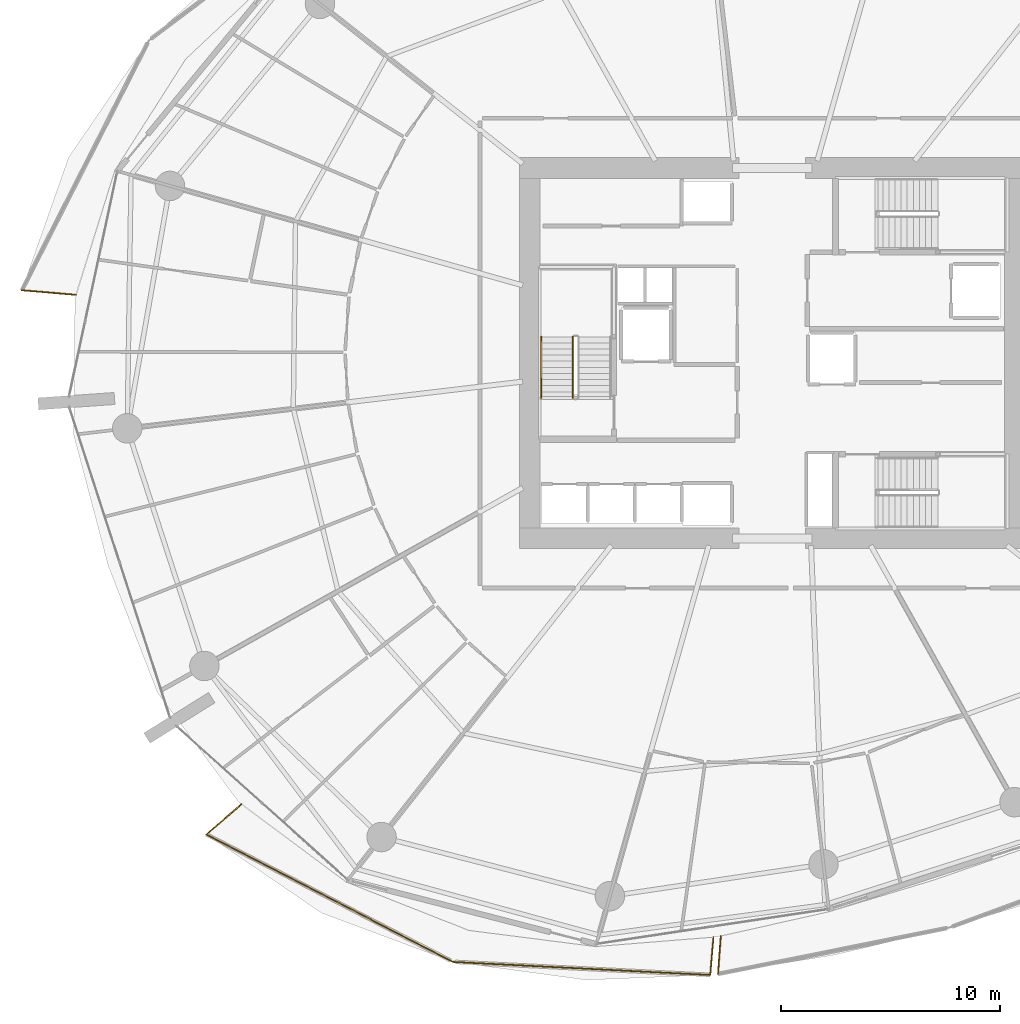
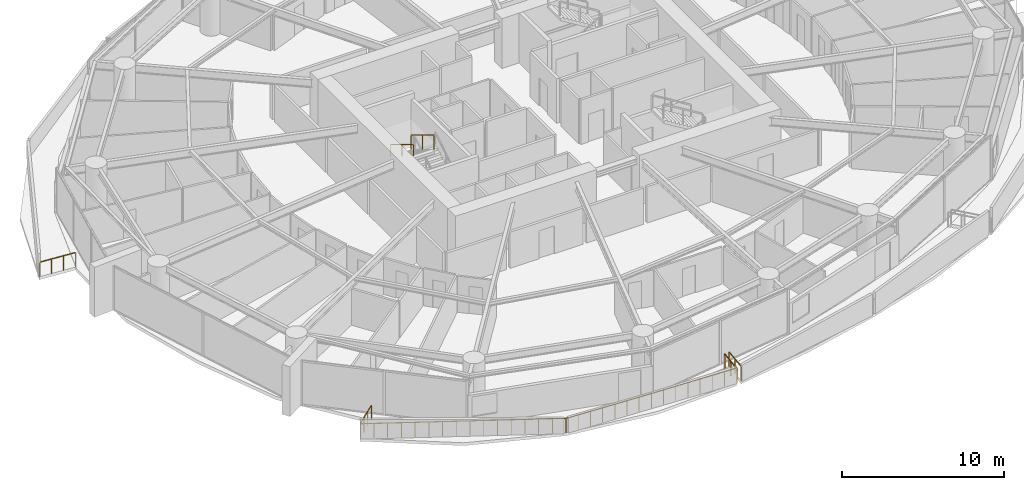
# One storey, part 25 of 31: 8 railings.
"""IFC4 building model written with IfcOpenShell, lengths in metres."""

from ifc_helpers import new_model, si_unit, direction, frame, origin, origin_2d, place, context, subcontext, project, spatial, rectangle, extrude, material, type_object, element, save


model = new_model("IFC4")

# Units and contexts
model_context = context("Model", 3, precision=1e-05, world=origin(), true_north=direction((0.0, 1.0)))
body_context = subcontext(model_context, "Body", "Model", "MODEL_VIEW")
ifc_project = project(units=[si_unit("LENGTHUNIT", "METRE"), si_unit("AREAUNIT", "SQUARE_METRE"), si_unit("VOLUMEUNIT", "CUBIC_METRE"), si_unit("PLANEANGLEUNIT", "RADIAN"), si_unit("MASSUNIT", "GRAM", prefix="KILO")], contexts=[model_context])

# Site, building, storey
site_placement = place(None, origin())
site = spatial("IfcSite", under=ifc_project, at=site_placement, CompositionType="ELEMENT")
building_placement = place(site_placement, origin())
building = spatial("IfcBuilding", under=site, at=building_placement, Name="Kazma Halo Residences", CompositionType="ELEMENT")
storey_placement = place(building_placement, frame((0.0, 0.0, 67.64990234375)))
storey = spatial("IfcBuildingStorey", under=building, at=storey_placement, Name="L16", CompositionType="ELEMENT", Elevation=67.64990234375)

# Railings
ifc_material_1 = material(Name="Aluminium AW-6063 T6 Brushed Cap Rail", Category="aluminium")
railing_type_1 = type_object("IfcRailingType", Name="RLG-BAL-CAP-1120", PredefinedType="BALUSTRADE", material=ifc_material_1)
railing_1_placement = place(storey_placement, frame((14.075439453125, 44.87841796875, 0.0)))
element("IfcRailing", 1, at=railing_1_placement, inside=storey, type_object=railing_type_1, Name="L16 NW wave balcony guard 4", PredefinedType="BALUSTRADE", context=body_context, shape_type="SweptSolid", body=[
    extrude(rectangle(XDim=0.050048828125, YDim=0.050048828125, at=origin_2d()), frame((0.04248046875, -0.003662109375, 1.09521484375), z_axis=(0.99642606074, -0.084469553555, 0.0), x_axis=(0.084469553555, 0.99642606074, 0.0)), (0.0, 0.0, 1.0), 2.397705078125),
    extrude(rectangle(XDim=0.0400390625, YDim=0.0400390625, at=origin_2d()), origin(), (0.0, 0.0, 1.0), 1.05810546875),
    extrude(rectangle(XDim=0.0400390625, YDim=0.0400390625, at=origin_2d()), frame((0.82470703125, -0.06982421875, 0.0)), (0.0, 0.0, 1.0), 1.05810546875),
    extrude(rectangle(XDim=0.0400390625, YDim=0.0400390625, at=origin_2d()), frame((1.649169921875, -0.139892578125, 0.0)), (0.0, 0.0, 1.0), 1.05810546875),
    extrude(rectangle(XDim=0.0400390625, YDim=0.0400390625, at=origin_2d()), frame((2.473876953125, -0.209716796875, 0.0)), (0.0, 0.0, 1.0), 1.05810546875),
])
railing_2_placement = place(storey_placement, frame((24.124267578125, 21.354736328125, 0.0)))
element("IfcRailing", 2, at=railing_2_placement, inside=storey, type_object=railing_type_1, Name="L16 SW wave balcony guard 1", PredefinedType="BALUSTRADE", context=body_context, shape_type="SweptSolid", body=[
    extrude(rectangle(XDim=0.050048828125, YDim=0.050048828125, at=origin_2d()), frame((-0.0322265625, -0.02783203125, 1.09521484375), z_axis=(-0.756401812862, -0.65410725229, 0.0), x_axis=(0.65410725229, -0.756401812862, 0.0)), (0.0, 0.0, 1.0), 2.027099609375),
    extrude(rectangle(XDim=0.0400390625, YDim=0.0400390625, at=origin_2d()), origin(), (0.0, 0.0, 1.0), 1.05810546875),
    extrude(rectangle(XDim=0.0400390625, YDim=0.0400390625, at=origin_2d()), frame((-0.532470703125, -0.46044921875, 0.0)), (0.0, 0.0, 1.0), 1.05810546875),
    extrude(rectangle(XDim=0.0400390625, YDim=0.0400390625, at=origin_2d()), frame((-1.065185546875, -0.921142578125, 0.0)), (0.0, 0.0, 1.0), 1.05810546875),
    extrude(rectangle(XDim=0.0400390625, YDim=0.0400390625, at=origin_2d()), frame((-1.59765625, -1.381591796875, 0.0)), (0.0, 0.0, 1.0), 1.05810546875),
])
railing_3_placement = place(storey_placement, frame((22.526611328125, 19.97314453125, 0.0)))
element("IfcRailing", 3, at=railing_3_placement, inside=storey, type_object=railing_type_1, Name="L16 SW wave balcony guard 2", PredefinedType="BALUSTRADE", context=body_context, shape_type="SweptSolid", body=[
    extrude(rectangle(XDim=0.050048828125, YDim=0.050048828125, at=origin_2d()), frame((0.037841796875, -0.01953125, 1.09521484375), z_axis=(0.888173808226, -0.459507656499, 0.0), x_axis=(0.459507656499, 0.888173808226, 0.0)), (0.0, 0.0, 1.0), 12.612060546875),
    extrude(rectangle(XDim=0.0400390625, YDim=0.0400390625, at=origin_2d()), origin(), (0.0, 0.0, 1.0), 1.05810546875),
    extrude(rectangle(XDim=0.0400390625, YDim=0.0400390625, at=origin_2d()), frame((0.751708984375, -0.388916015625, 0.0)), (0.0, 0.0, 1.0), 1.05810546875),
    extrude(rectangle(XDim=0.0400390625, YDim=0.0400390625, at=origin_2d()), frame((1.503662109375, -0.77783203125, 0.0)), (0.0, 0.0, 1.0), 1.05810546875),
    extrude(rectangle(XDim=0.0400390625, YDim=0.0400390625, at=origin_2d()), frame((2.25537109375, -1.1669921875, 0.0)), (0.0, 0.0, 1.0), 1.05810546875),
    extrude(rectangle(XDim=0.0400390625, YDim=0.0400390625, at=origin_2d()), frame((3.00732421875, -1.555908203125, 0.0)), (0.0, 0.0, 1.0), 1.05810546875),
    extrude(rectangle(XDim=0.0400390625, YDim=0.0400390625, at=origin_2d()), frame((3.759033203125, -1.94482421875, 0.0)), (0.0, 0.0, 1.0), 1.05810546875),
    extrude(rectangle(XDim=0.0400390625, YDim=0.0400390625, at=origin_2d()), frame((4.510986328125, -2.333740234375, 0.0)), (0.0, 0.0, 1.0), 1.05810546875),
    extrude(rectangle(XDim=0.0400390625, YDim=0.0400390625, at=origin_2d()), frame((5.2626953125, -2.72265625, 0.0)), (0.0, 0.0, 1.0), 1.05810546875),
    extrude(rectangle(XDim=0.0400390625, YDim=0.0400390625, at=origin_2d()), frame((6.0146484375, -3.11181640625, 0.0)), (0.0, 0.0, 1.0), 1.05810546875),
    extrude(rectangle(XDim=0.0400390625, YDim=0.0400390625, at=origin_2d()), frame((6.766357421875, -3.500732421875, 0.0)), (0.0, 0.0, 1.0), 1.05810546875),
    extrude(rectangle(XDim=0.0400390625, YDim=0.0400390625, at=origin_2d()), frame((7.518310546875, -3.8896484375, 0.0)), (0.0, 0.0, 1.0), 1.05810546875),
    extrude(rectangle(XDim=0.0400390625, YDim=0.0400390625, at=origin_2d()), frame((8.27001953125, -4.278564453125, 0.0)), (0.0, 0.0, 1.0), 1.05810546875),
    extrude(rectangle(XDim=0.0400390625, YDim=0.0400390625, at=origin_2d()), frame((9.02197265625, -4.66748046875, 0.0)), (0.0, 0.0, 1.0), 1.05810546875),
    extrude(rectangle(XDim=0.0400390625, YDim=0.0400390625, at=origin_2d()), frame((9.773681640625, -5.056640625, 0.0)), (0.0, 0.0, 1.0), 1.05810546875),
    extrude(rectangle(XDim=0.0400390625, YDim=0.0400390625, at=origin_2d()), frame((10.525634765625, -5.445556640625, 0.0)), (0.0, 0.0, 1.0), 1.05810546875),
    extrude(rectangle(XDim=0.0400390625, YDim=0.0400390625, at=origin_2d()), frame((11.27734375, -5.83447265625, 0.0)), (0.0, 0.0, 1.0), 1.05810546875),
])
railing_4_placement = place(storey_placement, frame((33.803955078125, 14.138671875, 0.0)))
element("IfcRailing", 4, at=railing_4_placement, inside=storey, type_object=railing_type_1, Name="L16 SW wave balcony guard 3", PredefinedType="BALUSTRADE", context=body_context, shape_type="SweptSolid", body=[
    extrude(rectangle(XDim=0.050048828125, YDim=0.050048828125, at=origin_2d()), frame((0.04248046875, -0.002197265625, 1.09521484375), z_axis=(0.998712596491, -0.050726222107, 0.0), x_axis=(0.050726222107, 0.998712596491, 0.0)), (0.0, 0.0, 1.0), 11.71142578125),
    extrude(rectangle(XDim=0.0400390625, YDim=0.0400390625, at=origin_2d()), origin(), (0.0, 0.0, 1.0), 1.05810546875),
    extrude(rectangle(XDim=0.0400390625, YDim=0.0400390625, at=origin_2d()), frame((0.841552734375, -0.042724609375, 0.0)), (0.0, 0.0, 1.0), 1.05810546875),
    extrude(rectangle(XDim=0.0400390625, YDim=0.0400390625, at=origin_2d()), frame((1.68310546875, -0.08544921875, 0.0)), (0.0, 0.0, 1.0), 1.05810546875),
    extrude(rectangle(XDim=0.0400390625, YDim=0.0400390625, at=origin_2d()), frame((2.524658203125, -0.128173828125, 0.0)), (0.0, 0.0, 1.0), 1.05810546875),
    extrude(rectangle(XDim=0.0400390625, YDim=0.0400390625, at=origin_2d()), frame((3.365966796875, -0.1708984375, 0.0)), (0.0, 0.0, 1.0), 1.05810546875),
    extrude(rectangle(XDim=0.0400390625, YDim=0.0400390625, at=origin_2d()), frame((4.20751953125, -0.213623046875, 0.0)), (0.0, 0.0, 1.0), 1.05810546875),
    extrude(rectangle(XDim=0.0400390625, YDim=0.0400390625, at=origin_2d()), frame((5.049072265625, -0.25634765625, 0.0)), (0.0, 0.0, 1.0), 1.05810546875),
    extrude(rectangle(XDim=0.0400390625, YDim=0.0400390625, at=origin_2d()), frame((5.890625, -0.29931640625, 0.0)), (0.0, 0.0, 1.0), 1.05810546875),
    extrude(rectangle(XDim=0.0400390625, YDim=0.0400390625, at=origin_2d()), frame((6.732177734375, -0.342041015625, 0.0)), (0.0, 0.0, 1.0), 1.05810546875),
    extrude(rectangle(XDim=0.0400390625, YDim=0.0400390625, at=origin_2d()), frame((7.57373046875, -0.384765625, 0.0)), (0.0, 0.0, 1.0), 1.05810546875),
    extrude(rectangle(XDim=0.0400390625, YDim=0.0400390625, at=origin_2d()), frame((8.415283203125, -0.427490234375, 0.0)), (0.0, 0.0, 1.0), 1.05810546875),
    extrude(rectangle(XDim=0.0400390625, YDim=0.0400390625, at=origin_2d()), frame((9.256591796875, -0.47021484375, 0.0)), (0.0, 0.0, 1.0), 1.05810546875),
    extrude(rectangle(XDim=0.0400390625, YDim=0.0400390625, at=origin_2d()), frame((10.09814453125, -0.512939453125, 0.0)), (0.0, 0.0, 1.0), 1.05810546875),
    extrude(rectangle(XDim=0.0400390625, YDim=0.0400390625, at=origin_2d()), frame((10.939697265625, -0.5556640625, 0.0)), (0.0, 0.0, 1.0), 1.05810546875),
    extrude(rectangle(XDim=0.0400390625, YDim=0.0400390625, at=origin_2d()), frame((11.78125, -0.598388671875, 0.0)), (0.0, 0.0, 1.0), 1.05810546875),
])
railing_5_placement = place(storey_placement, frame((45.585205078125, 13.540283203125, 0.0)))
element("IfcRailing", 5, at=railing_5_placement, inside=storey, type_object=railing_type_1, Name="L16 SW wave balcony guard 4", PredefinedType="BALUSTRADE", context=body_context, shape_type="SweptSolid", body=[
    extrude(rectangle(XDim=0.050048828125, YDim=0.050048828125, at=origin_2d()), frame((0.003662109375, 0.04248046875, 1.09521484375), z_axis=(0.084511701188, 0.996422486881, 0.0), x_axis=(-0.996422486881, 0.084511701188, 0.0)), (0.0, 0.0, 1.0), 1.651123046875),
    extrude(rectangle(XDim=0.0400390625, YDim=0.0400390625, at=origin_2d()), origin(), (0.0, 0.0, 1.0), 1.05810546875),
    extrude(rectangle(XDim=0.0400390625, YDim=0.0400390625, at=origin_2d()), frame((0.0732421875, 0.864990234375, 0.0)), (0.0, 0.0, 1.0), 1.05810546875),
    extrude(rectangle(XDim=0.0400390625, YDim=0.0400390625, at=origin_2d()), frame((0.146728515625, 1.72998046875, 0.0)), (0.0, 0.0, 1.0), 1.05810546875),
])
railing_6_placement = place(storey_placement, frame((46.064208984375, 15.320068359375, 0.0)))
element("IfcRailing", 6, at=railing_6_placement, inside=storey, type_object=railing_type_1, Name="L16 SSE wave balcony guard 1", PredefinedType="BALUSTRADE", context=body_context, shape_type="SweptSolid", body=[
    extrude(rectangle(XDim=0.050048828125, YDim=0.050048828125, at=origin_2d()), frame((-0.003173828125, -0.04248046875, 1.09521484375), z_axis=(-0.072350928263, -0.997379237391, 0.0), x_axis=(0.997379237391, -0.072350928263, 0.0)), (0.0, 0.0, 1.0), 1.659423828125),
    extrude(rectangle(XDim=0.0400390625, YDim=0.0400390625, at=origin_2d()), origin(), (0.0, 0.0, 1.0), 1.05810546875),
    extrude(rectangle(XDim=0.0400390625, YDim=0.0400390625, at=origin_2d()), frame((-0.06298828125, -0.8701171875, 0.0)), (0.0, 0.0, 1.0), 1.05810546875),
    extrude(rectangle(XDim=0.0400390625, YDim=0.0400390625, at=origin_2d()), frame((-0.126220703125, -1.739990234375, 0.0)), (0.0, 0.0, 1.0), 1.05810546875),
])
ifc_material_2 = material(Name="Painted Steel S355", Category="steel")
railing_type_2 = type_object("IfcRailingType", Name="RLG-STAIR-GRD-1100", PredefinedType="GUARDRAIL", material=ifc_material_2)
railing_7_placement = place(storey_placement, frame((39.300048828125, 42.75, 2.045654296875)))
element("IfcRailing", 7, at=railing_7_placement, inside=storey, type_object=railing_type_2, Name="L16 ST-01 stair guard 3", PredefinedType="GUARDRAIL", context=body_context, shape_type="SweptSolid", body=[
    extrude(rectangle(XDim=0.050048828125, YDim=0.050048828125, at=origin_2d()), frame((0.0, -0.036376953125, 1.09716796875), z_axis=(0.0, -0.854202870247, 0.519939858505), x_axis=(1.0, 0.0, 0.0)), (0.0, 0.0, 1.0), 3.19287109375),
    extrude(rectangle(XDim=0.0400390625, YDim=0.0400390625, at=origin_2d()), origin(), (0.0, 0.0, 1.0), 1.0380859375),
    extrude(rectangle(XDim=0.0400390625, YDim=0.0400390625, at=origin_2d()), frame((0.0, -1.39990234375, 0.85205078125)), (0.0, 0.0, 1.0), 1.0380859375),
    extrude(rectangle(XDim=0.0400390625, YDim=0.0400390625, at=origin_2d()), frame((0.0, -2.800048828125, 1.704345703125)), (0.0, 0.0, 1.0), 1.0380859375),
])
ifc_material_3 = material(Name="Brushed Stainless Steel", Category="steel")
railing_type_3 = type_object("IfcRailingType", Name="RLG-STAIR-HND-900", PredefinedType="HANDRAIL", material=ifc_material_3)
railing_8_placement = place(storey_placement, frame((37.85009765625, 42.75, 2.045654296875)))
element("IfcRailing", 8, at=railing_8_placement, inside=storey, type_object=railing_type_3, Name="L16 ST-01 stair handrail 2", PredefinedType="HANDRAIL", context=body_context, shape_type="SweptSolid", body=[
    extrude(rectangle(XDim=0.050048828125, YDim=0.050048828125, at=origin_2d()), frame((0.0, -0.036376953125, 0.89697265625), z_axis=(0.0, -0.854202870247, 0.519939858505), x_axis=(1.0, 0.0, 0.0)), (0.0, 0.0, 1.0), 3.19287109375),
    extrude(rectangle(XDim=0.0400390625, YDim=0.0400390625, at=origin_2d()), origin(), (0.0, 0.0, 1.0), 0.837890625),
    extrude(rectangle(XDim=0.0400390625, YDim=0.0400390625, at=origin_2d()), frame((0.0, -1.39990234375, 0.85205078125)), (0.0, 0.0, 1.0), 0.837890625),
    extrude(rectangle(XDim=0.0400390625, YDim=0.0400390625, at=origin_2d()), frame((0.0, -2.800048828125, 1.704345703125)), (0.0, 0.0, 1.0), 0.837890625),
])

save(model, "model.ifc")
